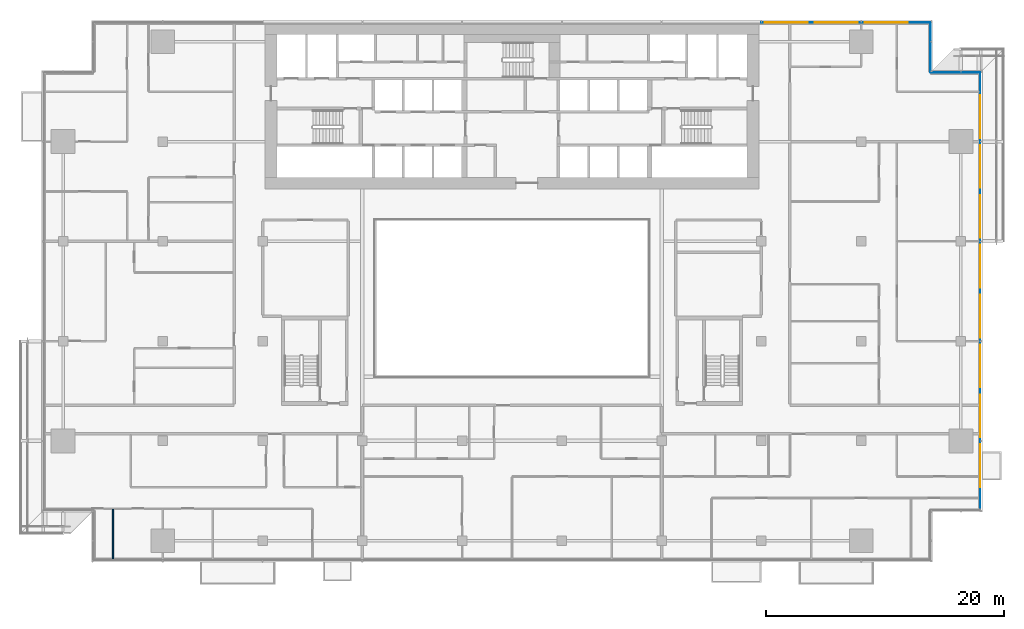
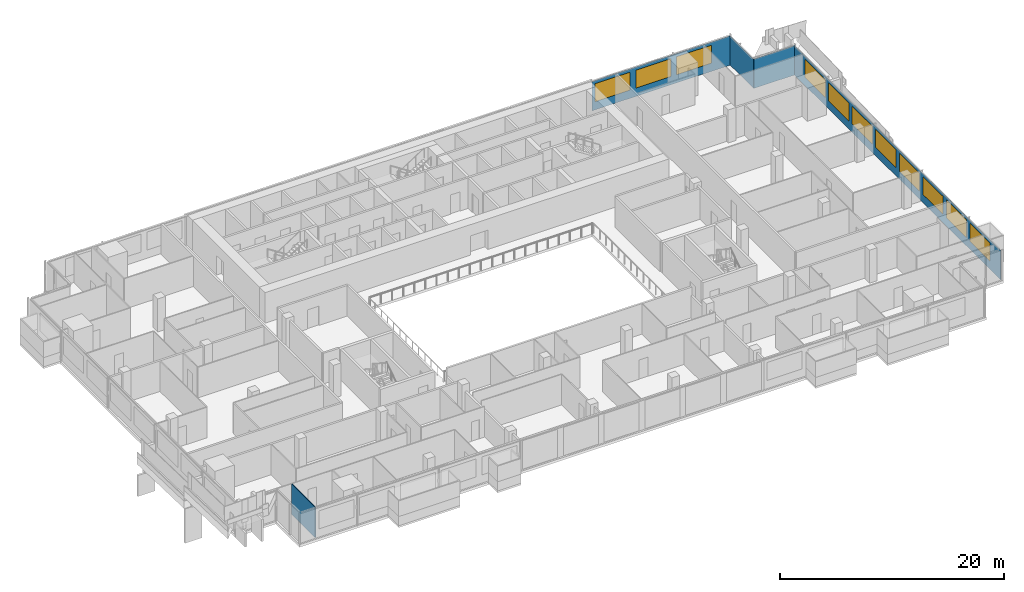
# One storey, part 17 of 29: 11 windows, 4 plates, 1 wall, 11 openings, 4 elements without a shape of their own.
"""IFC4 building model written with IfcOpenShell, lengths in metres."""

from ifc_helpers import new_model, si_unit, direction, frame, frame_2d, origin, place, context, subcontext, project, spatial, rectangle, extrude, material, layer, layer_set, type_object, element, fill, aggregate, save


model = new_model("IFC4")

# Units and contexts
model_context = context("Model", 3, precision=1e-05, world=origin(), true_north=direction((0.0, 1.0)))
body_context = subcontext(model_context, "Body", "Model", "MODEL_VIEW")
ifc_project = project(units=[si_unit("LENGTHUNIT", "METRE"), si_unit("AREAUNIT", "SQUARE_METRE"), si_unit("VOLUMEUNIT", "CUBIC_METRE"), si_unit("PLANEANGLEUNIT", "RADIAN"), si_unit("MASSUNIT", "GRAM", prefix="KILO")], contexts=[model_context])

# Site, building, storey
site_placement = place(None, origin())
site = spatial("IfcSite", under=ifc_project, at=site_placement, CompositionType="ELEMENT")
building_placement = place(site_placement, origin())
building = spatial("IfcBuilding", under=site, at=building_placement, Name="Saffron Gate Tower", CompositionType="ELEMENT")
storey_placement = place(building_placement, frame((0.0, 0.0, 113.25)))
storey = spatial("IfcBuildingStorey", under=building, at=storey_placement, Name="L26", CompositionType="ELEMENT", Elevation=113.25)

# Curtain wall, plate, openings, windows
ifc_material_1 = material(Name="Aluminium, bronze anodised", Category="aluminium")
curtain_wall_type_1 = type_object("IfcCurtainWallType", Name="CWS2 curtain wall side facades", PredefinedType="NOTDEFINED", material=ifc_material_1)
curtain_wall_1_placement = place(storey_placement, origin())
curtain_wall_1 = element("IfcCurtainWall", 1, at=curtain_wall_1_placement, inside=storey, type_object=curtain_wall_type_1, Name="CWS2 run 4", PredefinedType="NOTDEFINED")
ifc_material_2 = material(Name="Fritted bronze-tinted laminated glass", Category="glass")
ifc_layer_1 = layer(ifc_material_2, 0.028076171875)
ifc_layer_set_1 = layer_set([ifc_layer_1], Name="CWS2 fixed glass")
plate_type_1 = type_object("IfcPlateType", Name="CWS2 fixed glass", PredefinedType="CURTAIN_PANEL", material=ifc_layer_set_1)
plate_1_placement = place(storey_placement, frame((127.02587890625, 34.387939453125, 0.0), z_axis=(0.0, 0.0, 1.0), x_axis=(0.0, 1.0, 0.0)))
plate_1 = element("IfcPlate", 2, at=plate_1_placement, type_object=plate_type_1, Name="CWS2 glass panel", PredefinedType="CURTAIN_PANEL", context=body_context, shape_type="SweptSolid", body=[
    extrude(rectangle(XDim=36.823974609375, YDim=0.028076171875, at=frame_2d((18.412109375, 0.0))), origin(), (0.0, 0.0, 1.0), 3.199951171875),
])
opening_1_placement = place(plate_1_placement, frame((1.912109375, 0.0, 0.89990234375)))
opening_1 = element("IfcOpeningElement", 3, at=opening_1_placement, cuts=plate_1, Name="Opening W1", PredefinedType="OPENING", context=body_context, shape_type="SweptSolid", body=[
    extrude(rectangle(XDim=3.60009765625, YDim=1.949951171875, at=frame_2d((1.800048828125, 0.97509765625))), frame((0.0, 0.02392578125, 0.0), z_axis=(0.0, -1.0, 0.0), x_axis=(1.0, 0.0, 0.0)), (0.0, 0.0, 1.0), 0.048095703125),
])
opening_2_placement = place(plate_1_placement, frame((6.112060546875, 0.0, 0.89990234375)))
opening_2 = element("IfcOpeningElement", 4, at=opening_2_placement, cuts=plate_1, Name="Opening W1", PredefinedType="OPENING", context=body_context, shape_type="SweptSolid", body=[
    extrude(rectangle(XDim=3.60009765625, YDim=1.949951171875, at=frame_2d((1.800048828125, 0.97509765625))), frame((0.0, 0.02392578125, 0.0), z_axis=(0.0, -1.0, 0.0), x_axis=(1.0, 0.0, 0.0)), (0.0, 0.0, 1.0), 0.048095703125),
])
opening_3_placement = place(plate_1_placement, frame((10.31201171875, 0.0, 0.89990234375)))
opening_3 = element("IfcOpeningElement", 5, at=opening_3_placement, cuts=plate_1, Name="Opening W1", PredefinedType="OPENING", context=body_context, shape_type="SweptSolid", body=[
    extrude(rectangle(XDim=3.60009765625, YDim=1.949951171875, at=frame_2d((1.800048828125, 0.97509765625))), frame((0.0, 0.02392578125, 0.0), z_axis=(0.0, -1.0, 0.0), x_axis=(1.0, 0.0, 0.0)), (0.0, 0.0, 1.0), 0.048095703125),
])
opening_4_placement = place(plate_1_placement, frame((14.511962890625, 0.0, 0.89990234375)))
opening_4 = element("IfcOpeningElement", 6, at=opening_4_placement, cuts=plate_1, Name="Opening W1", PredefinedType="OPENING", context=body_context, shape_type="SweptSolid", body=[
    extrude(rectangle(XDim=3.60009765625, YDim=1.949951171875, at=frame_2d((1.800048828125, 0.97509765625))), frame((0.0, 0.02392578125, 0.0), z_axis=(0.0, -1.0, 0.0), x_axis=(1.0, 0.0, 0.0)), (0.0, 0.0, 1.0), 0.048095703125),
])
opening_5_placement = place(plate_1_placement, frame((18.7119140625, 0.0, 0.89990234375)))
opening_5 = element("IfcOpeningElement", 7, at=opening_5_placement, cuts=plate_1, Name="Opening W1", PredefinedType="OPENING", context=body_context, shape_type="SweptSolid", body=[
    extrude(rectangle(XDim=3.60009765625, YDim=1.949951171875, at=frame_2d((1.800048828125, 0.97509765625))), frame((0.0, 0.02392578125, 0.0), z_axis=(0.0, -1.0, 0.0), x_axis=(1.0, 0.0, 0.0)), (0.0, 0.0, 1.0), 0.048095703125),
])
opening_6_placement = place(plate_1_placement, frame((22.912109375, 0.0, 0.89990234375)))
opening_6 = element("IfcOpeningElement", 8, at=opening_6_placement, cuts=plate_1, Name="Opening W1", PredefinedType="OPENING", context=body_context, shape_type="SweptSolid", body=[
    extrude(rectangle(XDim=3.60009765625, YDim=1.949951171875, at=frame_2d((1.800048828125, 0.97509765625))), frame((0.0, 0.02392578125, 0.0), z_axis=(0.0, -1.0, 0.0), x_axis=(1.0, 0.0, 0.0)), (0.0, 0.0, 1.0), 0.048095703125),
])
opening_7_placement = place(plate_1_placement, frame((27.112060546875, 0.0, 0.89990234375)))
opening_7 = element("IfcOpeningElement", 9, at=opening_7_placement, cuts=plate_1, Name="Opening W1", PredefinedType="OPENING", context=body_context, shape_type="SweptSolid", body=[
    extrude(rectangle(XDim=3.60009765625, YDim=1.949951171875, at=frame_2d((1.800048828125, 0.97509765625))), frame((0.0, 0.02392578125, 0.0), z_axis=(0.0, -1.0, 0.0), x_axis=(1.0, 0.0, 0.0)), (0.0, 0.0, 1.0), 0.048095703125),
])
opening_8_placement = place(plate_1_placement, frame((31.31201171875, 0.0, 0.89990234375)))
opening_8 = element("IfcOpeningElement", 10, at=opening_8_placement, cuts=plate_1, Name="Opening W1", PredefinedType="OPENING", context=body_context, shape_type="SweptSolid", body=[
    extrude(rectangle(XDim=3.60009765625, YDim=1.949951171875, at=frame_2d((1.800048828125, 0.97509765625))), frame((0.0, 0.02392578125, 0.0), z_axis=(0.0, -1.0, 0.0), x_axis=(1.0, 0.0, 0.0)), (0.0, 0.0, 1.0), 0.048095703125),
])
ifc_material_3 = material(Name="Fritted bronze-tinted laminated glass in bronze frame", Category="glass")
ifc_layer_2 = layer(ifc_material_3, 0.06005859375)
ifc_layer_set_2 = layer_set([ifc_layer_2], Name="W1 operable panel 3600x1950")
window_type = type_object("IfcWindowType", Name="W1 operable panel 3600x1950", PartitioningType="DOUBLE_PANEL_HORIZONTAL", PredefinedType="WINDOW", material=ifc_layer_set_2)
window_1_placement = place(opening_1_placement, origin())
window_1 = element("IfcWindow", 11, at=window_1_placement, type_object=window_type, Name="W1 operable panel", OverallHeight=1.949951171875, OverallWidth=3.60009765625, PartitioningType="SINGLE_PANEL", PredefinedType="WINDOW", context=body_context, shape_type="SweptSolid", body=[
    extrude(rectangle(XDim=3.60009765625, YDim=1.949951171875, at=frame_2d((1.800048828125, 0.97509765625))), frame((0.0, 0.013671875, 0.0), z_axis=(0.0, -1.0, 0.0), x_axis=(1.0, 0.0, 0.0)), (0.0, 0.0, 1.0), 0.027587890625),
])
fill(opening_1, window_1)
window_2_placement = place(opening_2_placement, origin())
window_2 = element("IfcWindow", 12, at=window_2_placement, type_object=window_type, Name="W1 operable panel", OverallHeight=1.949951171875, OverallWidth=3.60009765625, PartitioningType="SINGLE_PANEL", PredefinedType="WINDOW", context=body_context, shape_type="SweptSolid", body=[
    extrude(rectangle(XDim=3.60009765625, YDim=1.949951171875, at=frame_2d((1.800048828125, 0.97509765625))), frame((0.0, 0.013671875, 0.0), z_axis=(0.0, -1.0, 0.0), x_axis=(1.0, 0.0, 0.0)), (0.0, 0.0, 1.0), 0.027587890625),
])
fill(opening_2, window_2)
window_3_placement = place(opening_3_placement, origin())
window_3 = element("IfcWindow", 13, at=window_3_placement, type_object=window_type, Name="W1 operable panel", OverallHeight=1.949951171875, OverallWidth=3.60009765625, PartitioningType="SINGLE_PANEL", PredefinedType="WINDOW", context=body_context, shape_type="SweptSolid", body=[
    extrude(rectangle(XDim=3.60009765625, YDim=1.949951171875, at=frame_2d((1.800048828125, 0.97509765625))), frame((0.0, 0.013671875, 0.0), z_axis=(0.0, -1.0, 0.0), x_axis=(1.0, 0.0, 0.0)), (0.0, 0.0, 1.0), 0.027587890625),
])
fill(opening_3, window_3)
window_4_placement = place(opening_4_placement, origin())
window_4 = element("IfcWindow", 14, at=window_4_placement, type_object=window_type, Name="W1 operable panel", OverallHeight=1.949951171875, OverallWidth=3.60009765625, PartitioningType="SINGLE_PANEL", PredefinedType="WINDOW", context=body_context, shape_type="SweptSolid", body=[
    extrude(rectangle(XDim=3.60009765625, YDim=1.949951171875, at=frame_2d((1.800048828125, 0.97509765625))), frame((0.0, 0.013671875, 0.0), z_axis=(0.0, -1.0, 0.0), x_axis=(1.0, 0.0, 0.0)), (0.0, 0.0, 1.0), 0.027587890625),
])
fill(opening_4, window_4)
window_5_placement = place(opening_5_placement, origin())
window_5 = element("IfcWindow", 15, at=window_5_placement, type_object=window_type, Name="W1 operable panel", OverallHeight=1.949951171875, OverallWidth=3.60009765625, PartitioningType="SINGLE_PANEL", PredefinedType="WINDOW", context=body_context, shape_type="SweptSolid", body=[
    extrude(rectangle(XDim=3.60009765625, YDim=1.949951171875, at=frame_2d((1.800048828125, 0.97509765625))), frame((0.0, 0.013671875, 0.0), z_axis=(0.0, -1.0, 0.0), x_axis=(1.0, 0.0, 0.0)), (0.0, 0.0, 1.0), 0.027587890625),
])
fill(opening_5, window_5)
window_6_placement = place(opening_6_placement, origin())
window_6 = element("IfcWindow", 16, at=window_6_placement, type_object=window_type, Name="W1 operable panel", OverallHeight=1.949951171875, OverallWidth=3.60009765625, PartitioningType="SINGLE_PANEL", PredefinedType="WINDOW", context=body_context, shape_type="SweptSolid", body=[
    extrude(rectangle(XDim=3.60009765625, YDim=1.949951171875, at=frame_2d((1.800048828125, 0.97509765625))), frame((0.0, 0.013671875, 0.0), z_axis=(0.0, -1.0, 0.0), x_axis=(1.0, 0.0, 0.0)), (0.0, 0.0, 1.0), 0.027587890625),
])
fill(opening_6, window_6)
window_7_placement = place(opening_7_placement, origin())
window_7 = element("IfcWindow", 17, at=window_7_placement, type_object=window_type, Name="W1 operable panel", OverallHeight=1.949951171875, OverallWidth=3.60009765625, PartitioningType="SINGLE_PANEL", PredefinedType="WINDOW", context=body_context, shape_type="SweptSolid", body=[
    extrude(rectangle(XDim=3.60009765625, YDim=1.949951171875, at=frame_2d((1.800048828125, 0.97509765625))), frame((0.0, 0.013671875, 0.0), z_axis=(0.0, -1.0, 0.0), x_axis=(1.0, 0.0, 0.0)), (0.0, 0.0, 1.0), 0.027587890625),
])
fill(opening_7, window_7)
window_8_placement = place(opening_8_placement, origin())
window_8 = element("IfcWindow", 18, at=window_8_placement, type_object=window_type, Name="W1 operable panel", OverallHeight=1.949951171875, OverallWidth=3.60009765625, PartitioningType="SINGLE_PANEL", PredefinedType="WINDOW", context=body_context, shape_type="SweptSolid", body=[
    extrude(rectangle(XDim=3.60009765625, YDim=1.949951171875, at=frame_2d((1.800048828125, 0.97509765625))), frame((0.0, 0.013671875, 0.0), z_axis=(0.0, -1.0, 0.0), x_axis=(1.0, 0.0, 0.0)), (0.0, 0.0, 1.0), 0.027587890625),
])
fill(opening_8, window_8)
aggregate(curtain_wall_1, [plate_1, window_1, window_2, window_3, window_4, window_5, window_6, window_7, window_8])

curtain_wall_type_2 = type_object("IfcCurtainWallType", Name="CWS3 curtain wall rear facade", PredefinedType="NOTDEFINED", material=ifc_material_1)
curtain_wall_2_placement = place(storey_placement, origin())
curtain_wall_2 = element("IfcCurtainWall", 19, at=curtain_wall_2_placement, inside=storey, type_object=curtain_wall_type_2, Name="CWS3 run 7", PredefinedType="NOTDEFINED")
ifc_material_4 = material(Name="Fritted grey-tinted laminated glass", Category="glass")
ifc_layer_3 = layer(ifc_material_4, 0.028076171875)
ifc_layer_set_3 = layer_set([ifc_layer_3], Name="CWS3 fixed glass")
plate_type_2 = type_object("IfcPlateType", Name="CWS3 fixed glass", PredefinedType="CURTAIN_PANEL", material=ifc_layer_set_3)
plate_2_placement = place(storey_placement, frame((122.81201171875, 75.426025390625, 0.0), z_axis=(0.0, 0.0, 1.0), x_axis=(-1.0, 0.0, 0.0)))
plate_2 = element("IfcPlate", 20, at=plate_2_placement, type_object=plate_type_2, Name="CWS3 glass panel", PredefinedType="CURTAIN_PANEL", context=body_context, shape_type="SweptSolid", body=[
    extrude(rectangle(XDim=14.2470703125, YDim=0.028076171875, at=frame_2d((7.12353515625, 0.0))), origin(), (0.0, 0.0, 1.0), 3.199951171875),
])
opening_9_placement = place(plate_2_placement, frame((1.912109375, 0.0, 0.89990234375)))
opening_9 = element("IfcOpeningElement", 21, at=opening_9_placement, cuts=plate_2, Name="Opening W1", PredefinedType="OPENING", context=body_context, shape_type="SweptSolid", body=[
    extrude(rectangle(XDim=3.60009765625, YDim=1.949951171875, at=frame_2d((1.800048828125, 0.97509765625))), frame((0.0, 0.02392578125, 0.0), z_axis=(0.0, -1.0, 0.0), x_axis=(1.0, 0.0, 0.0)), (0.0, 0.0, 1.0), 0.048095703125),
])
opening_10_placement = place(plate_2_placement, frame((6.112060546875, 0.0, 0.89990234375)))
opening_10 = element("IfcOpeningElement", 22, at=opening_10_placement, cuts=plate_2, Name="Opening W1", PredefinedType="OPENING", context=body_context, shape_type="SweptSolid", body=[
    extrude(rectangle(XDim=3.60009765625, YDim=1.949951171875, at=frame_2d((1.800048828125, 0.97509765625))), frame((0.0, 0.02392578125, 0.0), z_axis=(0.0, -1.0, 0.0), x_axis=(1.0, 0.0, 0.0)), (0.0, 0.0, 1.0), 0.048095703125),
])
opening_11_placement = place(plate_2_placement, frame((10.31201171875, 0.0, 0.89990234375)))
opening_11 = element("IfcOpeningElement", 23, at=opening_11_placement, cuts=plate_2, Name="Opening W1", PredefinedType="OPENING", context=body_context, shape_type="SweptSolid", body=[
    extrude(rectangle(XDim=3.60009765625, YDim=1.949951171875, at=frame_2d((1.800048828125, 0.97509765625))), frame((0.0, 0.02392578125, 0.0), z_axis=(0.0, -1.0, 0.0), x_axis=(1.0, 0.0, 0.0)), (0.0, 0.0, 1.0), 0.048095703125),
])
window_9_placement = place(opening_9_placement, origin())
window_9 = element("IfcWindow", 24, at=window_9_placement, type_object=window_type, Name="W1 operable panel", OverallHeight=1.949951171875, OverallWidth=3.60009765625, PartitioningType="SINGLE_PANEL", PredefinedType="WINDOW", context=body_context, shape_type="SweptSolid", body=[
    extrude(rectangle(XDim=3.60009765625, YDim=1.949951171875, at=frame_2d((1.800048828125, 0.97509765625))), frame((0.0, 0.013671875, 0.0), z_axis=(0.0, -1.0, 0.0), x_axis=(1.0, 0.0, 0.0)), (0.0, 0.0, 1.0), 0.027587890625),
])
fill(opening_9, window_9)
window_10_placement = place(opening_10_placement, origin())
window_10 = element("IfcWindow", 25, at=window_10_placement, type_object=window_type, Name="W1 operable panel", OverallHeight=1.949951171875, OverallWidth=3.60009765625, PartitioningType="SINGLE_PANEL", PredefinedType="WINDOW", context=body_context, shape_type="SweptSolid", body=[
    extrude(rectangle(XDim=3.60009765625, YDim=1.949951171875, at=frame_2d((1.800048828125, 0.97509765625))), frame((0.0, 0.013671875, 0.0), z_axis=(0.0, -1.0, 0.0), x_axis=(1.0, 0.0, 0.0)), (0.0, 0.0, 1.0), 0.027587890625),
])
fill(opening_10, window_10)
window_11_placement = place(opening_11_placement, origin())
window_11 = element("IfcWindow", 26, at=window_11_placement, type_object=window_type, Name="W1 operable panel", OverallHeight=1.949951171875, OverallWidth=3.60009765625, PartitioningType="SINGLE_PANEL", PredefinedType="WINDOW", context=body_context, shape_type="SweptSolid", body=[
    extrude(rectangle(XDim=3.60009765625, YDim=1.949951171875, at=frame_2d((1.800048828125, 0.97509765625))), frame((0.0, 0.013671875, 0.0), z_axis=(0.0, -1.0, 0.0), x_axis=(1.0, 0.0, 0.0)), (0.0, 0.0, 1.0), 0.027587890625),
])
fill(opening_11, window_11)
aggregate(curtain_wall_2, [plate_2, window_9, window_10, window_11])

# Curtain wall, plate
curtain_wall_type_3 = type_object("IfcCurtainWallType", Name="CWS4 curtain wall corner returns", PredefinedType="NOTDEFINED", material=ifc_material_1)
curtain_wall_3_placement = place(storey_placement, origin())
curtain_wall_3 = element("IfcCurtainWall", 27, at=curtain_wall_3_placement, inside=storey, type_object=curtain_wall_type_3, Name="CWS4 run 5", PredefinedType="NOTDEFINED")
ifc_layer_4 = layer(ifc_material_2, 0.028076171875)
ifc_layer_set_4 = layer_set([ifc_layer_4], Name="CWS4 fixed glass")
plate_type_3 = type_object("IfcPlateType", Name="CWS4 fixed glass", PredefinedType="CURTAIN_PANEL", material=ifc_layer_set_4)
plate_3_placement = place(storey_placement, frame((127.011962890625, 71.22607421875, 0.0), z_axis=(0.0, 0.0, 1.0), x_axis=(-1.0, 0.0, 0.0)))
plate_3 = element("IfcPlate", 28, at=plate_3_placement, type_object=plate_type_3, Name="CWS4 glass panel", PredefinedType="CURTAIN_PANEL", context=body_context, shape_type="SweptSolid", body=[
    extrude(rectangle(XDim=4.171875, YDim=0.028076171875, at=frame_2d((2.0859375, 0.0))), origin(), (0.0, 0.0, 1.0), 3.199951171875),
])
aggregate(curtain_wall_3, [plate_3])

curtain_wall_4_placement = place(storey_placement, origin())
curtain_wall_4 = element("IfcCurtainWall", 29, at=curtain_wall_4_placement, inside=storey, type_object=curtain_wall_type_3, Name="CWS4 run 6", PredefinedType="NOTDEFINED")
plate_4_placement = place(storey_placement, frame((122.825927734375, 71.239990234375, 0.0), z_axis=(0.0, 0.0, 1.0), x_axis=(0.0, 1.0, 0.0)))
plate_4 = element("IfcPlate", 30, at=plate_4_placement, type_object=plate_type_3, Name="CWS4 glass panel", PredefinedType="CURTAIN_PANEL", context=body_context, shape_type="SweptSolid", body=[
    extrude(rectangle(XDim=4.172119140625, YDim=0.028076171875, at=frame_2d((2.0859375, 0.0))), origin(), (0.0, 0.0, 1.0), 3.199951171875),
])
aggregate(curtain_wall_4, [plate_4])

# Wall
ifc_material_5 = material(Name="Plasterboard on steel studs", Category="steel")
ifc_layer_5 = layer(ifc_material_5, 0.10009765625)
ifc_layer_set_5 = layer_set([ifc_layer_5], Name="PW1 Partition 100")
wall_type = type_object("IfcWallType", Name="PW1 Partition 100", PredefinedType="PARTITIONING", material=ifc_layer_set_5)
wall_placement = place(storey_placement, frame((54.0, 34.449951171875, 0.0), z_axis=(0.0, 0.0, 1.0), x_axis=(0.0, -1.0, 0.0)))
element("IfcWall", 31, at=wall_placement, inside=storey, type_object=wall_type, Name="Partition B2-50", PredefinedType="PARTITIONING", context=body_context, shape_type="SweptSolid", body=[
    extrude(rectangle(XDim=4.169921875, YDim=0.10009765625, at=frame_2d((2.0849609375, 0.0))), origin(), (0.0, 0.0, 1.0), 3.320068359375),
])

save(model, "model.ifc")
